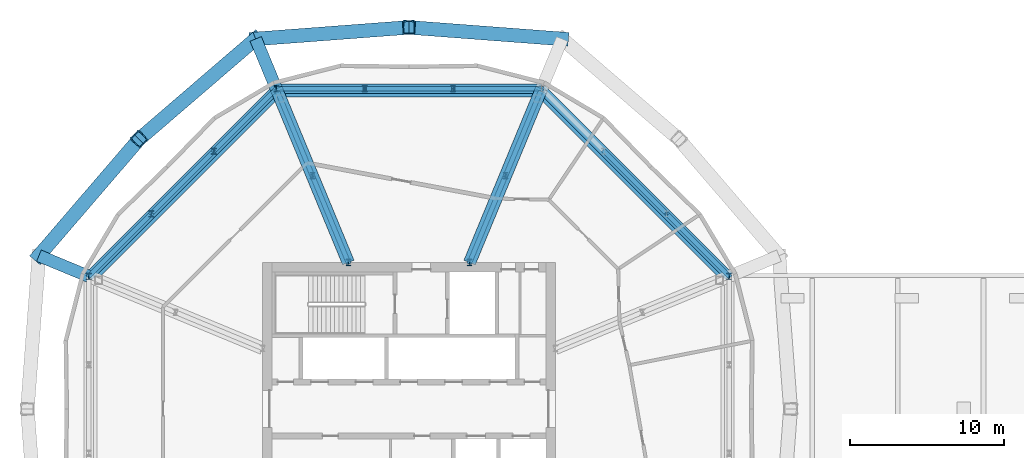
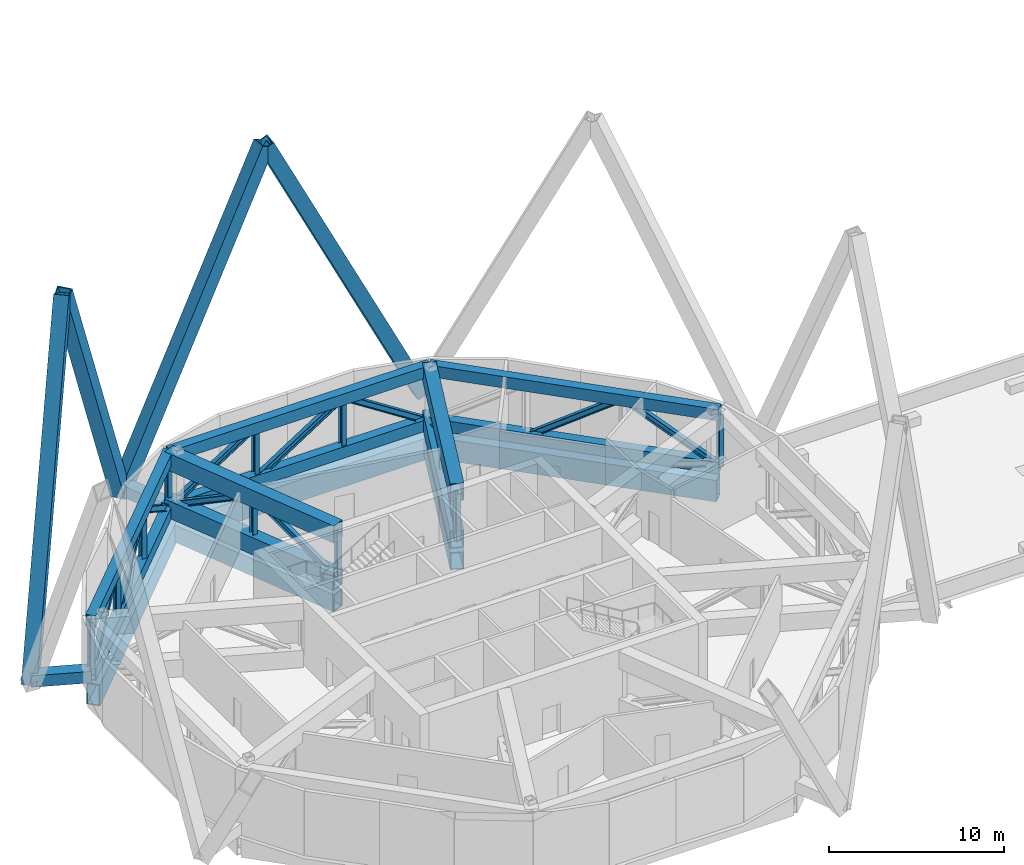
# One storey, part 5 of 20: 37 members, 7 beams.
"""IFC4 building model written with IfcOpenShell, lengths in metres."""

from ifc_helpers import new_model, si_unit, direction, frame, origin, origin_2d, place, context, subcontext, project, spatial, hollow_rectangle, i_section, extrude, material, material_profile, profile_set, type_object, element, save


model = new_model("IFC4")

# Units and contexts
model_context = context("Model", 3, precision=1e-05, world=origin(), true_north=direction((0.0, 1.0)))
body_context = subcontext(model_context, "Body", "Model", "MODEL_VIEW")
ifc_project = project(units=[si_unit("LENGTHUNIT", "METRE"), si_unit("AREAUNIT", "SQUARE_METRE"), si_unit("VOLUMEUNIT", "CUBIC_METRE"), si_unit("PLANEANGLEUNIT", "RADIAN"), si_unit("MASSUNIT", "GRAM", prefix="KILO")], contexts=[model_context])

# Site, building, storey
site_placement = place(None, origin())
site = spatial("IfcSite", under=ifc_project, at=site_placement, CompositionType="ELEMENT")
building_placement = place(site_placement, origin())
building = spatial("IfcBuilding", under=site, at=building_placement, Name="Ogive Gate Towers", CompositionType="ELEMENT")
storey_placement = place(building_placement, frame((0.0, 0.0, 160.800048828125)))
storey = spatial("IfcBuildingStorey", under=building, at=storey_placement, Name="L38", CompositionType="ELEMENT", Elevation=160.800048828125)

# Members
ifc_material = material(Name="Steel SM460", Category="steel")
ifc_material_profile_1 = material_profile(ifc_material, hollow_rectangle(XDim=0.89990234375, YDim=0.89990234375, WallThickness=0.070068359375, at=origin_2d()), Name="BX 900x900x70")
ifc_profile_set_1 = profile_set([ifc_material_profile_1], Name="Steel SM460")
member_type_1 = type_object("IfcMemberType", Name="Diagrid diagonal BX 900x900x70", PredefinedType="BRACE", material=ifc_profile_set_1)
for number, where, z_axis, x_axis, name in (
    (1, (-26.05419921875, 24.01171875, 0.0), (-0.437994442779, 0.032953335145, 0.898373500165), (-0.075024836873, -0.997181665421, 0.0), "T1/L38/SDG004"),
    (2, (-45.94580078125, 24.01171875, 0.0), (0.437994442779, 0.032953335145, 0.898373500165), (-0.075024836873, 0.997181665421, 0.0), "T1/L38/SDG005"),
):
    element("IfcMember", number, at=place(storey_placement, frame(where, z_axis=z_axis, x_axis=x_axis)), inside=storey, type_object=member_type_1, Name=name, PredefinedType="BRACE", context=body_context, shape_type="SweptSolid", body=[
        extrude(hollow_rectangle(XDim=0.89990234375, YDim=0.89990234375, WallThickness=0.070068359375, at=origin_2d()), origin(), (0.0, 0.0, 1.0), 22.70751953125),
    ])
for number, where, z_axis, x_axis, name in (
    (3, (-45.94580078125, 24.01171875, 0.0), (-0.333025507377, -0.286407312058, 0.898367888471), (0.652046304076, -0.758179145942, 0.0), "T1/L38/SDG006"),
    (4, (-60.01171875, 9.94580078125, 0.0), (0.286407312058, 0.333025507377, 0.898367888471), (-0.758179145942, 0.652046304076, 0.0), "T1/L38/SDG007"),
):
    element("IfcMember", number, at=place(storey_placement, frame(where, z_axis=z_axis, x_axis=x_axis)), inside=storey, type_object=member_type_1, Name=name, PredefinedType="BRACE", context=body_context, shape_type="SweptSolid", body=[
        extrude(hollow_rectangle(XDim=0.89990234375, YDim=0.89990234375, WallThickness=0.070068359375, at=origin_2d()), origin(), (0.0, 0.0, 1.0), 22.707763671875),
    ])

# Beams
ifc_material_profile_2 = material_profile(ifc_material, hollow_rectangle(XDim=0.800048828125, YDim=1.5, WallThickness=0.06005859375, at=origin_2d()), Name="BX 1500x800x60")
ifc_profile_set_2 = profile_set([ifc_material_profile_2], Name="Steel SM460")
beam_type_1 = type_object("IfcBeamType", Name="Edge girder BX 1500x800x60", PredefinedType="BEAM", material=ifc_profile_set_2)
beam_1_placement = place(storey_placement, frame((-15.360595703125, 8.549072265625, -1.050048828125), z_axis=(-0.707106781187, 0.707106781187, 0.0), x_axis=(-0.707106781187, -0.707106781187, 0.0)))
element("IfcBeam", 5, at=beam_1_placement, inside=storey, type_object=beam_type_1, Name="T1/L38/SBM013", PredefinedType="BEAM", context=body_context, shape_type="SweptSolid", body=[
    extrude(hollow_rectangle(XDim=0.800048828125, YDim=1.5, WallThickness=0.06005859375, at=origin_2d()), origin(), (0.0, 0.0, 1.0), 17.098388671875),
])
beam_2_placement = place(storey_placement, frame((-27.450927734375, 20.639404296875, -1.050048828125), z_axis=(-1.0, 0.0, 0.0), x_axis=(0.0, -1.0, 0.0)))
element("IfcBeam", 6, at=beam_2_placement, inside=storey, type_object=beam_type_1, Name="T1/L38/SBM014", PredefinedType="BEAM", context=body_context, shape_type="SweptSolid", body=[
    extrude(hollow_rectangle(XDim=0.800048828125, YDim=1.5, WallThickness=0.06005859375, at=origin_2d()), origin(), (0.0, 0.0, 1.0), 17.09814453125),
])
beam_3_placement = place(storey_placement, frame((-44.549072265625, 20.639404296875, -1.050048828125), z_axis=(-0.707106781187, -0.707106781187, 0.0), x_axis=(0.707106781187, -0.707106781187, 0.0)))
element("IfcBeam", 7, at=beam_3_placement, inside=storey, type_object=beam_type_1, Name="T1/L38/SBM015", PredefinedType="BEAM", context=body_context, shape_type="SweptSolid", body=[
    extrude(hollow_rectangle(XDim=0.800048828125, YDim=1.5, WallThickness=0.06005859375, at=origin_2d()), origin(), (0.0, 0.0, 1.0), 17.098388671875),
])
ifc_material_profile_3 = material_profile(ifc_material, hollow_rectangle(XDim=0.800048828125, YDim=0.800048828125, WallThickness=0.050048828125, at=origin_2d()), Name="BX 800x800x50")
ifc_profile_set_3 = profile_set([ifc_material_profile_3], Name="Steel SM460")
beam_type_2 = type_object("IfcBeamType", Name="Node arm BX 800x800x50", PredefinedType="BEAM", material=ifc_profile_set_3)
for number, where, z_axis, x_axis, name in (
    (8, (-44.6064453125, 20.778076171875, 0.449951171875), (-0.382668033682, 0.923885910704, 0.0), (-0.923885910704, -0.382668033682, 0.0), "T1/L38/SBM019"),
    (9, (-56.778076171875, 8.6064453125, 0.449951171875), (-0.923885910704, 0.382668033682, 0.0), (-0.382668033682, -0.923885910704, 0.0), "T1/L38/SBM020"),
):
    element("IfcBeam", number, at=place(storey_placement, frame(where, z_axis=z_axis, x_axis=x_axis)), inside=storey, type_object=beam_type_2, Name=name, PredefinedType="BEAM", context=body_context, shape_type="SweptSolid", body=[
        extrude(hollow_rectangle(XDim=0.800048828125, YDim=0.800048828125, WallThickness=0.050048828125, at=origin_2d()), origin(), (0.0, 0.0, 1.0), 3.5),
    ])
ifc_material_profile_4 = material_profile(ifc_material, hollow_rectangle(XDim=0.800048828125, YDim=1.199951171875, WallThickness=0.050048828125, at=origin_2d()), Name="BX 1200x800x50")
ifc_profile_set_4 = profile_set([ifc_material_profile_4], Name="Steel SM460")
beam_type_3 = type_object("IfcBeamType", Name="Transfer radial beam BX 1200x800x50", PredefinedType="BEAM", material=ifc_profile_set_4)
for number, where, z_axis, x_axis, name in (
    (10, (-32.06494140625, 9.5, -0.900146484375), (0.382677863518, 0.923881839184, 0.0), (-0.923881839184, 0.382677863518, 0.0), "T1/L38/SBM006"),
    (11, (-39.93505859375, 9.5, -0.900146484375), (-0.382677863518, 0.923881839184, 0.0), (-0.923881839184, -0.382677863518, 0.0), "T1/L38/SBM007"),
):
    element("IfcBeam", number, at=place(storey_placement, frame(where, z_axis=z_axis, x_axis=x_axis)), inside=storey, type_object=beam_type_3, Name=name, PredefinedType="BEAM", context=body_context, shape_type="SweptSolid", body=[
        extrude(hollow_rectangle(XDim=0.800048828125, YDim=1.199951171875, WallThickness=0.050048828125, at=origin_2d()), origin(), (0.0, 0.0, 1.0), 12.05712890625),
    ])

# Members
ifc_material_profile_5 = material_profile(ifc_material, hollow_rectangle(XDim=0.800048828125, YDim=1.199951171875, WallThickness=0.050048828125, at=origin_2d()), Name="BX 1200x800x50")
ifc_profile_set_5 = profile_set([ifc_material_profile_5], Name="Steel SM460")
member_type_2 = type_object("IfcMemberType", Name="Truss chord BX 1200x800x50", PredefinedType="CHORD", material=ifc_profile_set_5)
for number, where, z_axis, x_axis, name in (
    (12, (-32.06494140625, 9.5, 0.599853515625), (0.382673266464, 0.9238837433, 0.0), (-0.9238837433, 0.382673266464, 0.0), "T1/L38/STR024"),
    (13, (-32.06494140625, 9.5, 3.89990234375), (0.382673266464, 0.9238837433, 0.0), (-0.9238837433, 0.382673266464, 0.0), "T1/L38/STR025"),
    (14, (-39.93505859375, 9.5, 0.599853515625), (-0.382673266464, 0.9238837433, 0.0), (-0.9238837433, -0.382673266464, 0.0), "T1/L38/STR038"),
    (15, (-39.93505859375, 9.5, 3.89990234375), (-0.382673266464, 0.9238837433, 0.0), (-0.9238837433, -0.382673266464, 0.0), "T1/L38/STR039"),
):
    element("IfcMember", number, at=place(storey_placement, frame(where, z_axis=z_axis, x_axis=x_axis)), inside=storey, type_object=member_type_2, Name=name, PredefinedType="CHORD", context=body_context, shape_type="SweptSolid", body=[
        extrude(hollow_rectangle(XDim=0.800048828125, YDim=1.199951171875, WallThickness=0.050048828125, at=origin_2d()), origin(), (0.0, 0.0, 1.0), 12.207275390625),
    ])
ifc_material_profile_6 = material_profile(ifc_material, hollow_rectangle(XDim=0.60009765625, YDim=0.800048828125, WallThickness=0.0400390625, at=origin_2d()), Name="BX 800x600x40")
ifc_profile_set_6 = profile_set([ifc_material_profile_6], Name="Steel SM460")
member_type_3 = type_object("IfcMemberType", Name="Truss chord BX 800x600x40", PredefinedType="CHORD", material=ifc_profile_set_6)
for number, where, z_axis, x_axis, name in (
    (16, (-15.221923828125, 8.6064453125, 0.39990234375), (-0.707106781187, 0.707106781187, 0.0), (-0.707106781187, -0.707106781187, 0.0), "T1/L38/STR001"),
    (17, (-15.221923828125, 8.6064453125, 4.099853515625), (-0.707106781187, 0.707106781187, 0.0), (-0.707106781187, -0.707106781187, 0.0), "T1/L38/STR002"),
):
    element("IfcMember", number, at=place(storey_placement, frame(where, z_axis=z_axis, x_axis=x_axis)), inside=storey, type_object=member_type_3, Name=name, PredefinedType="CHORD", context=body_context, shape_type="SweptSolid", body=[
        extrude(hollow_rectangle(XDim=0.60009765625, YDim=0.800048828125, WallThickness=0.0400390625, at=origin_2d()), origin(), (0.0, 0.0, 1.0), 17.21337890625),
    ])
for number, where, z_axis, x_axis, name in (
    (18, (-27.3935546875, 20.778076171875, 0.39990234375), (-1.0, 0.0, 0.0), (0.0, -1.0, 0.0), "T1/L38/STR016"),
    (19, (-27.3935546875, 20.778076171875, 4.099853515625), (-1.0, 0.0, 0.0), (0.0, -1.0, 0.0), "T1/L38/STR017"),
):
    element("IfcMember", number, at=place(storey_placement, frame(where, z_axis=z_axis, x_axis=x_axis)), inside=storey, type_object=member_type_3, Name=name, PredefinedType="CHORD", context=body_context, shape_type="SweptSolid", body=[
        extrude(hollow_rectangle(XDim=0.60009765625, YDim=0.800048828125, WallThickness=0.0400390625, at=origin_2d()), origin(), (0.0, 0.0, 1.0), 17.212890625),
    ])
for number, where, z_axis, x_axis, name in (
    (20, (-44.6064453125, 20.778076171875, 0.39990234375), (-0.707106781187, -0.707106781187, 0.0), (0.707106781187, -0.707106781187, 0.0), "T1/L38/STR030"),
    (21, (-44.6064453125, 20.778076171875, 4.099853515625), (-0.707106781187, -0.707106781187, 0.0), (0.707106781187, -0.707106781187, 0.0), "T1/L38/STR031"),
):
    element("IfcMember", number, at=place(storey_placement, frame(where, z_axis=z_axis, x_axis=x_axis)), inside=storey, type_object=member_type_3, Name=name, PredefinedType="CHORD", context=body_context, shape_type="SweptSolid", body=[
        extrude(hollow_rectangle(XDim=0.60009765625, YDim=0.800048828125, WallThickness=0.0400390625, at=origin_2d()), origin(), (0.0, 0.0, 1.0), 17.21337890625),
    ])
ifc_material_profile_7 = material_profile(ifc_material, i_section(OverallWidth=0.300048828125, OverallDepth=0.39990234375, WebThickness=0.013427734375, FlangeThickness=0.02392578125, FilletRadius=0.027099609375, at=origin_2d()), Name="HE 400 B")
ifc_profile_set_7 = profile_set([ifc_material_profile_7], Name="Steel SM460")
member_type_4 = type_object("IfcMemberType", Name="Truss diagonal HE 400 B", PredefinedType="BRACE", material=ifc_profile_set_7)
member_1_placement = place(storey_placement, frame((-15.221923828125, 8.6064453125, 0.39990234375), z_axis=(-0.594262314662, 0.594262314662, 0.541945202714), x_axis=(-0.707106781187, -0.707106781187, 0.0)))
element("IfcMember", 22, at=member_1_placement, inside=storey, type_object=member_type_4, Name="T1/L38/STR003", PredefinedType="BRACE", context=body_context, shape_type="SweptSolid", body=[
    extrude(i_section(OverallWidth=0.300048828125, OverallDepth=0.39990234375, WebThickness=0.013427734375, FlangeThickness=0.02392578125, FilletRadius=0.027099609375, at=origin_2d()), origin(), (0.0, 0.0, 1.0), 6.8271484375),
])
member_2_placement = place(storey_placement, frame((-19.279052734375, 12.66357421875, 4.099853515625), z_axis=(-0.594272816916, 0.594272816916, -0.541922169827), x_axis=(-0.707106781187, -0.707106781187, 0.0)))
element("IfcMember", 23, at=member_2_placement, inside=storey, type_object=member_type_4, Name="T1/L38/STR004", PredefinedType="BRACE", context=body_context, shape_type="SweptSolid", body=[
    extrude(i_section(OverallWidth=0.300048828125, OverallDepth=0.39990234375, WebThickness=0.013427734375, FlangeThickness=0.02392578125, FilletRadius=0.027099609375, at=origin_2d()), origin(), (0.0, 0.0, 1.0), 6.827392578125),
])
member_3_placement = place(storey_placement, frame((-27.3935546875, 20.778076171875, 0.39990234375), z_axis=(-0.840409613469, 0.0, 0.541951733634), x_axis=(0.0, -1.0, 0.0)))
element("IfcMember", 24, at=member_3_placement, inside=storey, type_object=member_type_4, Name="T1/L38/STR018", PredefinedType="BRACE", context=body_context, shape_type="SweptSolid", body=[
    extrude(i_section(OverallWidth=0.300048828125, OverallDepth=0.39990234375, WebThickness=0.013427734375, FlangeThickness=0.02392578125, FilletRadius=0.027099609375, at=origin_2d()), origin(), (0.0, 0.0, 1.0), 6.8271484375),
])
member_4_placement = place(storey_placement, frame((-33.131103515625, 20.778076171875, 4.099853515625), z_axis=(-0.840420116299, 0.0, -0.541935446452), x_axis=(0.0, -1.0, 0.0)))
element("IfcMember", 25, at=member_4_placement, inside=storey, type_object=member_type_4, Name="T1/L38/STR019", PredefinedType="BRACE", context=body_context, shape_type="SweptSolid", body=[
    extrude(i_section(OverallWidth=0.300048828125, OverallDepth=0.39990234375, WebThickness=0.013427734375, FlangeThickness=0.02392578125, FilletRadius=0.027099609375, at=origin_2d()), origin(), (0.0, 0.0, 1.0), 6.827392578125),
])
member_5_placement = place(storey_placement, frame((-38.868896484375, 20.778076171875, 4.099853515625), z_axis=(-0.840409613469, 0.0, -0.541951733634), x_axis=(0.0, -1.0, 0.0)))
element("IfcMember", 26, at=member_5_placement, inside=storey, type_object=member_type_4, Name="T1/L38/STR020", PredefinedType="BRACE", context=body_context, shape_type="SweptSolid", body=[
    extrude(i_section(OverallWidth=0.300048828125, OverallDepth=0.39990234375, WebThickness=0.013427734375, FlangeThickness=0.02392578125, FilletRadius=0.027099609375, at=origin_2d()), origin(), (0.0, 0.0, 1.0), 6.8271484375),
])
member_6_placement = place(storey_placement, frame((-32.06494140625, 9.5, 0.599853515625), z_axis=(0.336626678165, 0.812696392347, 0.47561229317), x_axis=(-0.923880814494, 0.382680337371, 0.0)))
element("IfcMember", 27, at=member_6_placement, inside=storey, type_object=member_type_4, Name="T1/L38/STR026", PredefinedType="BRACE", context=body_context, shape_type="SweptSolid", body=[
    extrude(i_section(OverallWidth=0.300048828125, OverallDepth=0.39990234375, WebThickness=0.013427734375, FlangeThickness=0.02392578125, FilletRadius=0.027099609375, at=origin_2d()), origin(), (0.0, 0.0, 1.0), 6.9384765625),
])
member_7_placement = place(storey_placement, frame((-29.729248046875, 15.138916015625, 3.89990234375), z_axis=(0.336617052286, 0.812708338424, -0.475598692981), x_axis=(-0.923886671944, 0.382666195796, 0.0)))
element("IfcMember", 28, at=member_7_placement, inside=storey, type_object=member_type_4, Name="T1/L38/STR027", PredefinedType="BRACE", context=body_context, shape_type="SweptSolid", body=[
    extrude(i_section(OverallWidth=0.300048828125, OverallDepth=0.39990234375, WebThickness=0.013427734375, FlangeThickness=0.02392578125, FilletRadius=0.027099609375, at=origin_2d()), origin(), (0.0, 0.0, 1.0), 6.938720703125),
])
member_8_placement = place(storey_placement, frame((-44.6064453125, 20.778076171875, 0.39990234375), z_axis=(-0.594262314662, -0.594262314662, 0.541945202714), x_axis=(0.707106781187, -0.707106781187, 0.0)))
element("IfcMember", 29, at=member_8_placement, inside=storey, type_object=member_type_4, Name="T1/L38/STR032", PredefinedType="BRACE", context=body_context, shape_type="SweptSolid", body=[
    extrude(i_section(OverallWidth=0.300048828125, OverallDepth=0.39990234375, WebThickness=0.013427734375, FlangeThickness=0.02392578125, FilletRadius=0.027099609375, at=origin_2d()), origin(), (0.0, 0.0, 1.0), 6.8271484375),
])
member_9_placement = place(storey_placement, frame((-48.66357421875, 16.720947265625, 4.099853515625), z_axis=(-0.594272816916, -0.594272816916, -0.541922169827), x_axis=(0.707106781187, -0.707106781187, 0.0)))
element("IfcMember", 30, at=member_9_placement, inside=storey, type_object=member_type_4, Name="T1/L38/STR033", PredefinedType="BRACE", context=body_context, shape_type="SweptSolid", body=[
    extrude(i_section(OverallWidth=0.300048828125, OverallDepth=0.39990234375, WebThickness=0.013427734375, FlangeThickness=0.02392578125, FilletRadius=0.027099609375, at=origin_2d()), origin(), (0.0, 0.0, 1.0), 6.827392578125),
])
member_10_placement = place(storey_placement, frame((-52.720947265625, 12.66357421875, 4.099853515625), z_axis=(-0.594262314662, -0.594262314662, -0.541945202714), x_axis=(0.707106781187, -0.707106781187, 0.0)))
element("IfcMember", 31, at=member_10_placement, inside=storey, type_object=member_type_4, Name="T1/L38/STR034", PredefinedType="BRACE", context=body_context, shape_type="SweptSolid", body=[
    extrude(i_section(OverallWidth=0.300048828125, OverallDepth=0.39990234375, WebThickness=0.013427734375, FlangeThickness=0.02392578125, FilletRadius=0.027099609375, at=origin_2d()), origin(), (0.0, 0.0, 1.0), 6.8271484375),
])
member_11_placement = place(storey_placement, frame((-39.93505859375, 9.5, 0.599853515625), z_axis=(-0.336626678165, 0.812696392347, 0.47561229317), x_axis=(-0.923880814494, -0.382680337371, 0.0)))
element("IfcMember", 32, at=member_11_placement, inside=storey, type_object=member_type_4, Name="T1/L38/STR040", PredefinedType="BRACE", context=body_context, shape_type="SweptSolid", body=[
    extrude(i_section(OverallWidth=0.300048828125, OverallDepth=0.39990234375, WebThickness=0.013427734375, FlangeThickness=0.02392578125, FilletRadius=0.027099609375, at=origin_2d()), origin(), (0.0, 0.0, 1.0), 6.9384765625),
])
member_12_placement = place(storey_placement, frame((-42.270751953125, 15.138916015625, 3.89990234375), z_axis=(-0.336617052286, 0.812708338424, -0.475598692981), x_axis=(-0.923886671944, -0.382666195796, 0.0)))
element("IfcMember", 33, at=member_12_placement, inside=storey, type_object=member_type_4, Name="T1/L38/STR041", PredefinedType="BRACE", context=body_context, shape_type="SweptSolid", body=[
    extrude(i_section(OverallWidth=0.300048828125, OverallDepth=0.39990234375, WebThickness=0.013427734375, FlangeThickness=0.02392578125, FilletRadius=0.027099609375, at=origin_2d()), origin(), (0.0, 0.0, 1.0), 6.938720703125),
])
ifc_material_profile_8 = material_profile(ifc_material, i_section(OverallWidth=0.300048828125, OverallDepth=0.39990234375, WebThickness=0.013427734375, FlangeThickness=0.02392578125, FilletRadius=0.027099609375, at=origin_2d()), Name="HE 400 B")
ifc_profile_set_8 = profile_set([ifc_material_profile_8], Name="Steel SM460")
member_type_5 = type_object("IfcMemberType", Name="Truss post HE 400 B", PredefinedType="POST", material=ifc_profile_set_8)
for number, where, z_axis, x_axis, name in (
    (34, (-15.221923828125, 8.6064453125, 0.39990234375), (0.0, 0.0, 1.0), (1.0, 0.0, 0.0), "T1/L38/STR006"),
    (35, (-33.131103515625, 20.778076171875, 0.39990234375), (0.0, 0.0, 1.0), (1.0, 0.0, 0.0), "T1/L38/STR021"),
    (36, (-38.868896484375, 20.778076171875, 0.39990234375), (0.0, 0.0, 1.0), (1.0, 0.0, 0.0), "T1/L38/STR022"),
    (37, (-44.6064453125, 20.778076171875, 0.39990234375), (0.0, 0.0, 1.0), (1.0, 0.0, 0.0), "T1/L38/STR023"),
):
    element("IfcMember", number, at=place(storey_placement, frame(where, z_axis=z_axis, x_axis=x_axis)), inside=storey, type_object=member_type_5, Name=name, PredefinedType="POST", context=body_context, shape_type="SweptSolid", body=[
        extrude(i_section(OverallWidth=0.300048828125, OverallDepth=0.39990234375, WebThickness=0.013427734375, FlangeThickness=0.02392578125, FilletRadius=0.027099609375, at=origin_2d()), origin(), (0.0, 0.0, 1.0), 3.699951171875),
    ])
for number, where, z_axis, x_axis, name in (
    (38, (-32.06494140625, 9.5, 0.599853515625), (0.0, 0.0, 1.0), (1.0, 0.0, 0.0), "T1/L38/STR028"),
    (39, (-29.729248046875, 15.138916015625, 0.599853515625), (0.0, 0.0, 1.0), (1.0, 0.0, 0.0), "T1/L38/STR029"),
):
    element("IfcMember", number, at=place(storey_placement, frame(where, z_axis=z_axis, x_axis=x_axis)), inside=storey, type_object=member_type_5, Name=name, PredefinedType="POST", context=body_context, shape_type="SweptSolid", body=[
        extrude(i_section(OverallWidth=0.300048828125, OverallDepth=0.39990234375, WebThickness=0.013427734375, FlangeThickness=0.02392578125, FilletRadius=0.027099609375, at=origin_2d()), origin(), (0.0, 0.0, 1.0), 3.300048828125),
    ])
for number, where, z_axis, x_axis, name in (
    (40, (-48.66357421875, 16.720947265625, 0.39990234375), (0.0, 0.0, 1.0), (1.0, 0.0, 0.0), "T1/L38/STR035"),
    (41, (-52.720947265625, 12.66357421875, 0.39990234375), (0.0, 0.0, 1.0), (1.0, 0.0, 0.0), "T1/L38/STR036"),
    (42, (-56.778076171875, 8.6064453125, 0.39990234375), (0.0, 0.0, 1.0), (1.0, 0.0, 0.0), "T1/L38/STR037"),
):
    element("IfcMember", number, at=place(storey_placement, frame(where, z_axis=z_axis, x_axis=x_axis)), inside=storey, type_object=member_type_5, Name=name, PredefinedType="POST", context=body_context, shape_type="SweptSolid", body=[
        extrude(i_section(OverallWidth=0.300048828125, OverallDepth=0.39990234375, WebThickness=0.013427734375, FlangeThickness=0.02392578125, FilletRadius=0.027099609375, at=origin_2d()), origin(), (0.0, 0.0, 1.0), 3.699951171875),
    ])
for number, where, z_axis, x_axis, name in (
    (43, (-39.93505859375, 9.5, 0.599853515625), (0.0, 0.0, 1.0), (1.0, 0.0, 0.0), "T1/L38/STR042"),
    (44, (-42.270751953125, 15.138916015625, 0.599853515625), (0.0, 0.0, 1.0), (1.0, 0.0, 0.0), "T1/L38/STR043"),
):
    element("IfcMember", number, at=place(storey_placement, frame(where, z_axis=z_axis, x_axis=x_axis)), inside=storey, type_object=member_type_5, Name=name, PredefinedType="POST", context=body_context, shape_type="SweptSolid", body=[
        extrude(i_section(OverallWidth=0.300048828125, OverallDepth=0.39990234375, WebThickness=0.013427734375, FlangeThickness=0.02392578125, FilletRadius=0.027099609375, at=origin_2d()), origin(), (0.0, 0.0, 1.0), 3.300048828125),
    ])

save(model, "model.ifc")
